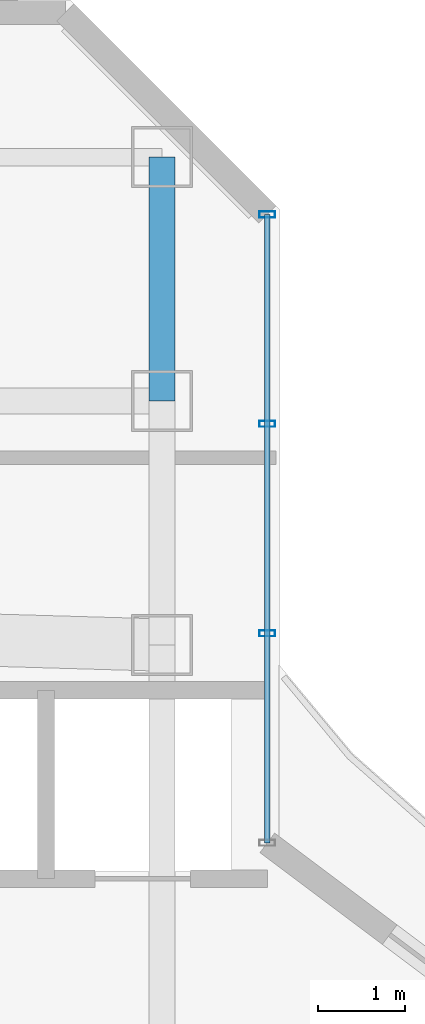
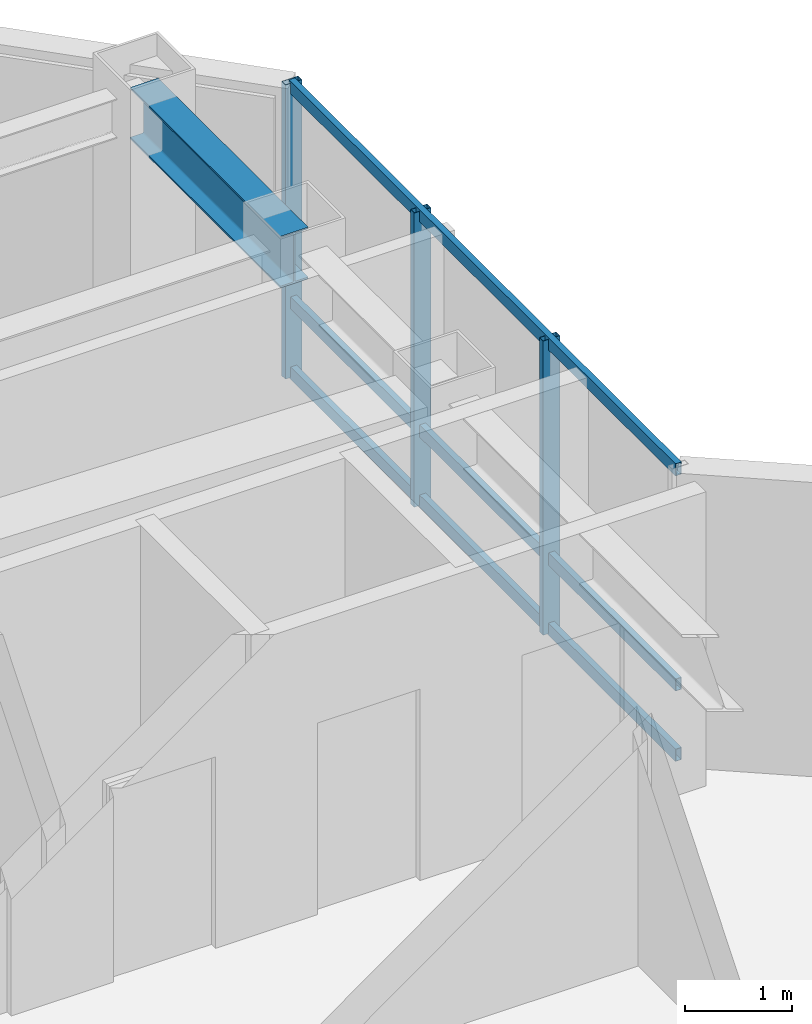
# One storey, part 17 of 25: 6 members, 1 beam, 1 element without a shape of its own.
"""IFC4 building model written with IfcOpenShell, lengths in metres."""

from ifc_helpers import new_model, si_unit, direction, frame, origin, origin_2d, place, context, subcontext, project, spatial, hollow_rectangle, i_section, extrude, material, layer, layer_set, material_profile, profile_set, type_object, element, aggregate, save


model = new_model("IFC4")

# Units and contexts
model_context = context("Model", 3, precision=1e-05, world=origin(), true_north=direction((0.0, 1.0)))
body_context = subcontext(model_context, "Body", "Model", "MODEL_VIEW")
ifc_project = project(units=[si_unit("LENGTHUNIT", "METRE"), si_unit("AREAUNIT", "SQUARE_METRE"), si_unit("VOLUMEUNIT", "CUBIC_METRE"), si_unit("PLANEANGLEUNIT", "RADIAN"), si_unit("MASSUNIT", "GRAM", prefix="KILO")], contexts=[model_context])

# Site, building, storey
site_placement = place(None, origin())
site = spatial("IfcSite", under=ifc_project, at=site_placement, CompositionType="ELEMENT")
building_placement = place(site_placement, origin())
building = spatial("IfcBuilding", under=site, at=building_placement, Name="Hatsunagi Terrace Concourse", CompositionType="ELEMENT")
storey_placement = place(building_placement, frame((0.0, 0.0, 220.35009765625)))
storey = spatial("IfcBuildingStorey", under=building, at=storey_placement, Name="L58", CompositionType="ELEMENT", Elevation=220.35009765625)

# Curtain wall, members
ifc_material_1 = material(Name="Anodised Aluminium Alloy 6063-T5", Category="aluminium")
ifc_layer = layer(ifc_material_1, 0.199951171875)
ifc_layer_set = layer_set([ifc_layer], Name="OfficeZone2_CW04")
curtain_wall_type = type_object("IfcCurtainWallType", Name="OfficeZone2_CW04", PredefinedType="NOTDEFINED", material=ifc_layer_set)
curtain_wall_placement = place(storey_placement, origin())
curtain_wall = element("IfcCurtainWall", 1, at=curtain_wall_placement, inside=storey, type_object=curtain_wall_type, Name="Unitised Curtain Wall CW-04 CW-L58-12", PredefinedType="NOTDEFINED")
ifc_material_2 = material(Name="Anodised Aluminium Alloy 6063-T5", Category="aluminium")
ifc_material_profile_1 = material_profile(ifc_material_2, hollow_rectangle(XDim=0.070068359375, YDim=0.179931640625, WallThickness=0.00390625, at=origin_2d()), Name="ALU-MUL-180x70x4")
ifc_profile_set_1 = profile_set([ifc_material_profile_1], Name="Anodised Aluminium Alloy 6063-T5")
member_type_1 = type_object("IfcMemberType", Name="CurtainWallMullion_180x70", PredefinedType="MULLION", material=ifc_profile_set_1)
member_1_placement = place(storey_placement, frame((44.860107421875, 47.94189453125, 0.0), z_axis=(0.0, 0.0, 1.0), x_axis=(0.0, -1.0, 0.0)))
member_1 = element("IfcMember", 2, at=member_1_placement, type_object=member_type_1, Name="Curtain Wall Mullion MUL-02", PredefinedType="MULLION", context=body_context, shape_type="SweptSolid", body=[
    extrude(hollow_rectangle(XDim=0.070068359375, YDim=0.179931640625, WallThickness=0.00390625, at=origin_2d()), origin(), (0.0, 0.0, 1.0), 3.349853515625),
])
member_2_placement = place(storey_placement, frame((44.860107421875, 45.5380859375, 0.0), z_axis=(0.0, 0.0, 1.0), x_axis=(0.0, -1.0, 0.0)))
member_2 = element("IfcMember", 3, at=member_2_placement, type_object=member_type_1, Name="Curtain Wall Mullion MUL-02", PredefinedType="MULLION", context=body_context, shape_type="SweptSolid", body=[
    extrude(hollow_rectangle(XDim=0.070068359375, YDim=0.179931640625, WallThickness=0.00390625, at=origin_2d()), origin(), (0.0, 0.0, 1.0), 3.349853515625),
])
member_3_placement = place(storey_placement, frame((44.860107421875, 43.134033203125, 0.0), z_axis=(0.0, 0.0, 1.0), x_axis=(0.0, -1.0, 0.0)))
member_3 = element("IfcMember", 4, at=member_3_placement, type_object=member_type_1, Name="Curtain Wall Mullion MUL-02", PredefinedType="MULLION", context=body_context, shape_type="SweptSolid", body=[
    extrude(hollow_rectangle(XDim=0.070068359375, YDim=0.179931640625, WallThickness=0.00390625, at=origin_2d()), origin(), (0.0, 0.0, 1.0), 3.349853515625),
])
ifc_material_3 = material(Name="Anodised Aluminium Alloy 6063-T5", Category="aluminium")
ifc_material_profile_2 = material_profile(ifc_material_3, hollow_rectangle(XDim=0.06494140625, YDim=0.139892578125, WallThickness=0.00390625, at=origin_2d()), Name="ALU-TRN-140x65x4")
ifc_profile_set_2 = profile_set([ifc_material_profile_2], Name="Anodised Aluminium Alloy 6063-T5")
member_type_2 = type_object("IfcMemberType", Name="CurtainWallTransom_140x65", PredefinedType="USERDEFINED", material=ifc_profile_set_2)
member_4_placement = place(storey_placement, frame((44.860107421875, 47.94189453125, 0.0498046875), z_axis=(0.0, -1.0, 0.0), x_axis=(1.0, 0.0, 0.0)))
member_4 = element("IfcMember", 5, at=member_4_placement, type_object=member_type_2, Name="Curtain Wall Transom TRN-02", ObjectType="TRANSOM", PredefinedType="USERDEFINED", context=body_context, shape_type="SweptSolid", body=[
    extrude(hollow_rectangle(XDim=0.06494140625, YDim=0.139892578125, WallThickness=0.00390625, at=origin_2d()), origin(), (0.0, 0.0, 1.0), 7.2119140625),
])
member_5_placement = place(storey_placement, frame((44.860107421875, 47.94189453125, 0.849853515625), z_axis=(0.0, -1.0, 0.0), x_axis=(1.0, 0.0, 0.0)))
member_5 = element("IfcMember", 6, at=member_5_placement, type_object=member_type_2, Name="Curtain Wall Transom TRN-02", ObjectType="TRANSOM", PredefinedType="USERDEFINED", context=body_context, shape_type="SweptSolid", body=[
    extrude(hollow_rectangle(XDim=0.06494140625, YDim=0.139892578125, WallThickness=0.00390625, at=origin_2d()), origin(), (0.0, 0.0, 1.0), 7.2119140625),
])
member_6_placement = place(storey_placement, frame((44.860107421875, 47.94189453125, 3.2998046875), z_axis=(0.0, -1.0, 0.0), x_axis=(1.0, 0.0, 0.0)))
member_6 = element("IfcMember", 7, at=member_6_placement, type_object=member_type_2, Name="Curtain Wall Transom TRN-02", ObjectType="TRANSOM", PredefinedType="USERDEFINED", context=body_context, shape_type="SweptSolid", body=[
    extrude(hollow_rectangle(XDim=0.06494140625, YDim=0.139892578125, WallThickness=0.00390625, at=origin_2d()), origin(), (0.0, 0.0, 1.0), 7.2119140625),
])
aggregate(curtain_wall, [member_1, member_2, member_3, member_4, member_5, member_6])

# Beam
ifc_material_4 = material(Name="Steel SN490B", Category="steel")
ifc_material_profile_3 = material_profile(ifc_material_4, i_section(OverallWidth=0.300048828125, OverallDepth=0.587890625, WebThickness=0.011962890625, FlangeThickness=0.02001953125, FilletRadius=0.01806640625, at=origin_2d()), Name="H-588x300x12x20")
ifc_profile_set_3 = profile_set([ifc_material_profile_3], Name="Steel SN490B")
beam_type = type_object("IfcBeamType", Name="OfficeHighGirder_H_588x300", PredefinedType="BEAM", material=ifc_profile_set_3)
beam_placement = place(storey_placement, frame((43.64990234375, 45.800048828125, 3.055908203125), z_axis=(0.0, 1.0, 0.0), x_axis=(-1.0, 0.0, 0.0)))
element("IfcBeam", 8, at=beam_placement, inside=storey, type_object=beam_type, Name="Beam G-06 BM-L58-KN-WN6", PredefinedType="BEAM", context=body_context, shape_type="SweptSolid", body=[
    extrude(i_section(OverallWidth=0.300048828125, OverallDepth=0.587890625, WebThickness=0.011962890625, FlangeThickness=0.02001953125, FilletRadius=0.01806640625, at=origin_2d()), origin(), (0.0, 0.0, 1.0), 2.800048828125),
])

save(model, "model.ifc")
